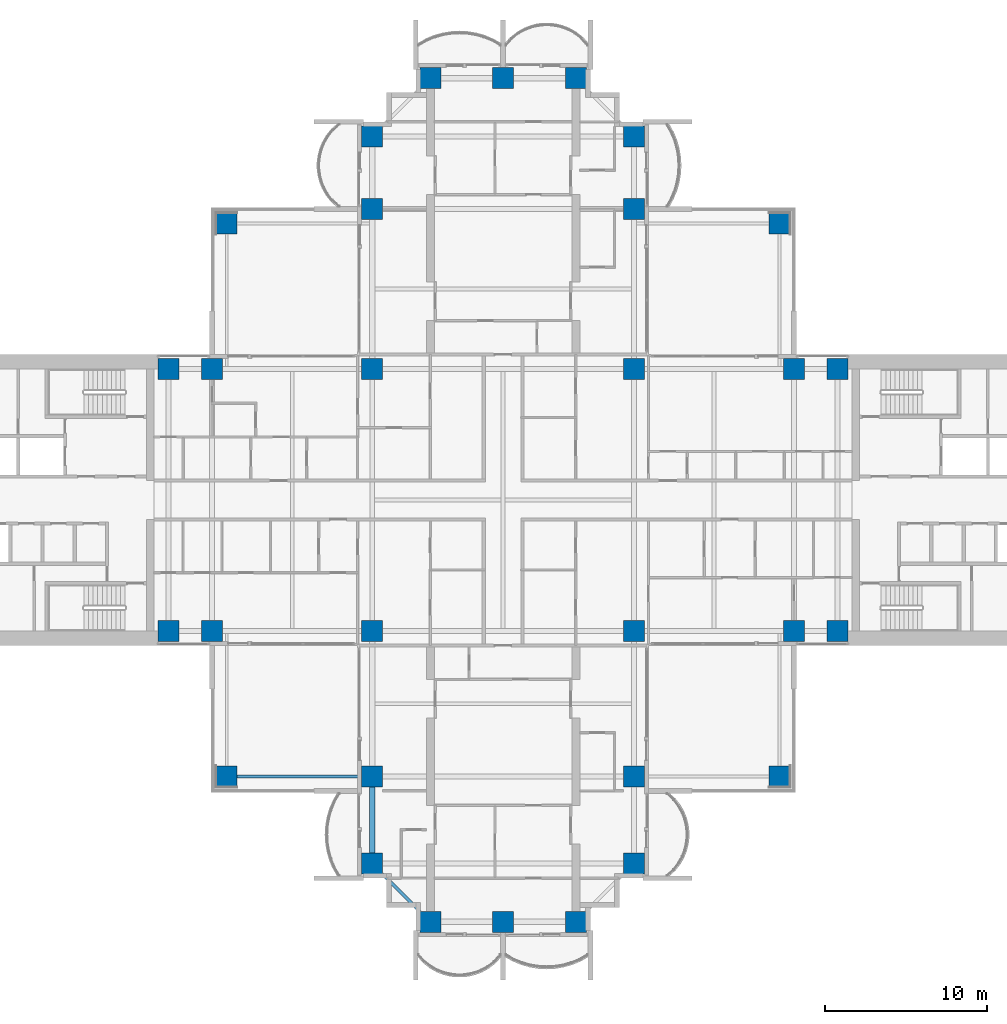
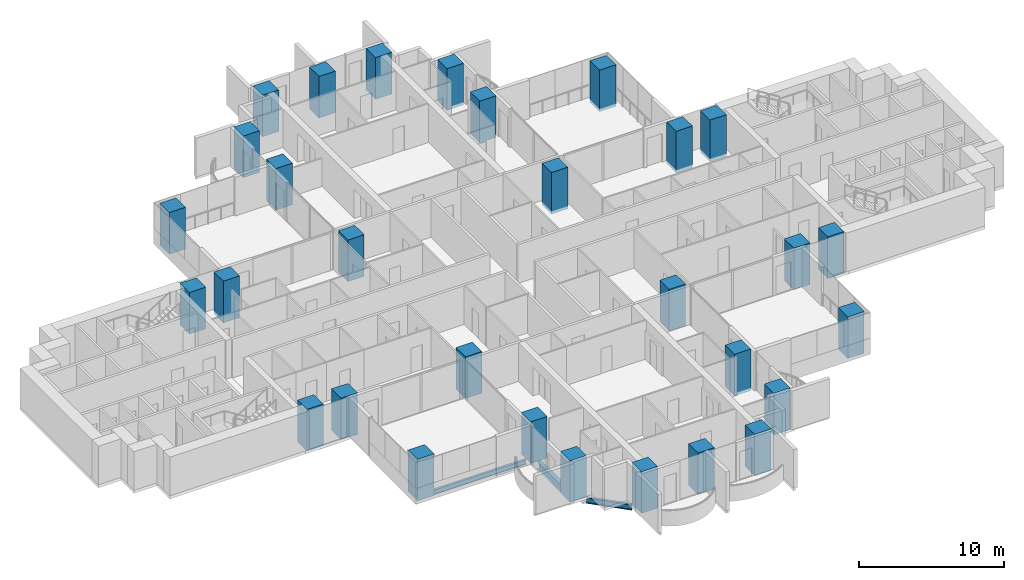
# One storey, part 1 of 21: 30 columns, 3 beams.
"""IFC4 building model written with IfcOpenShell, lengths in metres."""

from ifc_helpers import new_model, si_unit, direction, frame, origin, origin_2d, place, context, subcontext, project, spatial, rectangle, i_section, extrude, material, material_profile, profile_set, type_object, element, save


model = new_model("IFC4")

# Units and contexts
model_context = context("Model", 3, precision=1e-05, world=origin(), true_north=direction((0.0, 1.0)))
body_context = subcontext(model_context, "Body", "Model", "MODEL_VIEW")
ifc_project = project(units=[si_unit("LENGTHUNIT", "METRE"), si_unit("AREAUNIT", "SQUARE_METRE"), si_unit("VOLUMEUNIT", "CUBIC_METRE"), si_unit("PLANEANGLEUNIT", "RADIAN"), si_unit("MASSUNIT", "GRAM", prefix="KILO")], contexts=[model_context])

# Site, building, storey
site_placement = place(None, origin())
site = spatial("IfcSite", under=ifc_project, at=site_placement, CompositionType="ELEMENT")
building_placement = place(site_placement, origin())
building = spatial("IfcBuilding", under=site, at=building_placement, Name="Perihelion Cross Residences", CompositionType="ELEMENT")
storey_placement = place(building_placement, frame((0.0, 0.0, 43.5)))
storey = spatial("IfcBuildingStorey", under=building, at=storey_placement, Name="L07", CompositionType="ELEMENT", Elevation=43.5)

# Columns
ifc_material_1 = material(Name="Concrete C70/85", Category="concrete")
ifc_material_profile_1 = material_profile(ifc_material_1, rectangle(XDim=1.300048828125, YDim=1.300048828125, at=origin_2d()), Name="RC 1300x1300")
ifc_profile_set_1 = profile_set([ifc_material_profile_1], Name="Concrete C70/85")
column_type = type_object("IfcColumnType", Name="Reinforced concrete column 1300x1300 C70/85", PredefinedType="COLUMN", material=ifc_profile_set_1)
for number, where, z_axis, x_axis, name in (
    (1, (-20.699951171875, -8.10009765625, -0.25), (0.0, 0.0, 1.0), (1.0, 0.0, 0.0), "Column C017 L07 no. 1"),
    (2, (-20.699951171875, 8.10009765625, -0.25), (0.0, 0.0, 1.0), (1.0, 0.0, 0.0), "Column C010 L07 no. 1"),
    (3, (-18.0, -8.10009765625, -0.25), (0.0, 0.0, 1.0), (1.0, 0.0, 0.0), "Column C018 L07 no. 1"),
    (4, (-18.0, 8.10009765625, -0.25), (0.0, 0.0, 1.0), (1.0, 0.0, 0.0), "Column C011 L07 no. 1"),
    (5, (-8.10009765625, -22.5, -0.25), (0.0, 0.0, 1.0), (1.0, 0.0, 0.0), "Column C040 L07 no. 1"),
    (6, (-8.10009765625, -17.10009765625, -0.25), (0.0, 0.0, 1.0), (1.0, 0.0, 0.0), "Column C031 L07 no. 1"),
    (7, (-8.10009765625, -8.10009765625, -0.25), (0.0, 0.0, 1.0), (1.0, 0.0, 0.0), "Column C019 L07 no. 1"),
    (8, (-8.10009765625, 8.10009765625, -0.25), (0.0, 0.0, 1.0), (1.0, 0.0, 0.0), "Column C012 L07 no. 1"),
    (9, (-8.10009765625, 18.0, -0.25), (0.0, 0.0, 1.0), (1.0, 0.0, 0.0), "Column C006 L07 no. 1"),
    (10, (-8.10009765625, 22.5, -0.25), (0.0, 0.0, 1.0), (1.0, 0.0, 0.0), "Column C004 L07 no. 1"),
    (11, (-4.5, -26.10009765625, -0.25), (0.0, 0.0, 1.0), (1.0, 0.0, 0.0), "Column C042 L07 no. 1"),
    (12, (-4.5, 26.10009765625, -0.25), (0.0, 0.0, 1.0), (1.0, 0.0, 0.0), "Column C001 L07 no. 1"),
    (13, (0.0, -26.10009765625, -0.25), (0.0, 0.0, 1.0), (1.0, 0.0, 0.0), "Column C043 L07 no. 1"),
    (14, (0.0, 26.10009765625, -0.25), (0.0, 0.0, 1.0), (1.0, 0.0, 0.0), "Column C002 L07 no. 1"),
    (15, (4.5, -26.10009765625, -0.25), (0.0, 0.0, 1.0), (1.0, 0.0, 0.0), "Column C044 L07 no. 1"),
    (16, (4.5, 26.10009765625, -0.25), (0.0, 0.0, 1.0), (1.0, 0.0, 0.0), "Column C003 L07 no. 1"),
    (17, (8.10009765625, -22.5, -0.25), (0.0, 0.0, 1.0), (1.0, 0.0, 0.0), "Column C041 L07 no. 1"),
    (18, (8.10009765625, -17.10009765625, -0.25), (0.0, 0.0, 1.0), (1.0, 0.0, 0.0), "Column C035 L07 no. 1"),
    (19, (8.10009765625, -8.10009765625, -0.25), (0.0, 0.0, 1.0), (1.0, 0.0, 0.0), "Column C020 L07 no. 1"),
    (20, (8.10009765625, 8.10009765625, -0.25), (0.0, 0.0, 1.0), (1.0, 0.0, 0.0), "Column C014 L07 no. 1"),
    (21, (8.10009765625, 18.0, -0.25), (0.0, 0.0, 1.0), (1.0, 0.0, 0.0), "Column C007 L07 no. 1"),
    (22, (8.10009765625, 22.5, -0.25), (0.0, 0.0, 1.0), (1.0, 0.0, 0.0), "Column C005 L07 no. 1"),
    (23, (18.0, -8.10009765625, -0.25), (0.0, 0.0, 1.0), (1.0, 0.0, 0.0), "Column C021 L07 no. 1"),
    (24, (18.0, 8.10009765625, -0.25), (0.0, 0.0, 1.0), (1.0, 0.0, 0.0), "Column C015 L07 no. 1"),
    (25, (20.699951171875, -8.10009765625, -0.25), (0.0, 0.0, 1.0), (1.0, 0.0, 0.0), "Column C022 L07 no. 1"),
    (26, (20.699951171875, 8.10009765625, -0.25), (0.0, 0.0, 1.0), (1.0, 0.0, 0.0), "Column C016 L07 no. 1"),
    (27, (17.10009765625, 17.10009765625, -0.25), (0.0, 0.0, 1.0), (1.0, 0.0, 0.0), "Column C009 L07 no. 1"),
    (28, (-17.10009765625, 17.10009765625, -0.25), (0.0, 0.0, 1.0), (1.0, 0.0, 0.0), "Column C008 L07 no. 1"),
    (29, (-17.10009765625, -17.10009765625, -0.25), (0.0, 0.0, 1.0), (1.0, 0.0, 0.0), "Column C030 L07 no. 1"),
    (30, (17.10009765625, -17.10009765625, -0.25), (0.0, 0.0, 1.0), (1.0, 0.0, 0.0), "Column C036 L07 no. 1"),
):
    element("IfcColumn", number, at=place(storey_placement, frame(where, z_axis=z_axis, x_axis=x_axis)), inside=storey, type_object=column_type, Name=name, PredefinedType="COLUMN", context=body_context, shape_type="SweptSolid", body=[
        extrude(rectangle(XDim=1.300048828125, YDim=1.300048828125, at=origin_2d()), origin(), (0.0, 0.0, 1.0), 3.5),
    ])

# Beams
ifc_material_2 = material(Name="Steel S355", Category="steel")
ifc_material_profile_2 = material_profile(ifc_material_2, i_section(OverallWidth=0.177978515625, OverallDepth=0.406005859375, WebThickness=0.0078125, FlangeThickness=0.0126953125, at=origin_2d()), Name="W410x60")
ifc_profile_set_2 = profile_set([ifc_material_profile_2], Name="Steel S355")
beam_type_1 = type_object("IfcBeamType", Name="Core edge beam W410x60", PredefinedType="BEAM", material=ifc_profile_set_2)
beam_1_placement = place(storey_placement, frame((-8.75, -17.10009765625, -0.452880859375), z_axis=(-1.0, 0.0, 0.0), x_axis=(0.0, -1.0, 0.0)))
element("IfcBeam", 31, at=beam_1_placement, inside=storey, type_object=beam_type_1, Name="Core edge beam TB2 L07 corner no. 2", PredefinedType="BEAM", context=body_context, shape_type="SweptSolid", body=[
    extrude(i_section(OverallWidth=0.177978515625, OverallDepth=0.406005859375, WebThickness=0.0078125, FlangeThickness=0.0126953125, at=origin_2d()), origin(), (0.0, 0.0, 1.0), 7.699951171875),
])
ifc_material_3 = material(Name="Steel S355", Category="steel")
ifc_material_profile_3 = material_profile(ifc_material_3, i_section(OverallWidth=0.324951171875, OverallDepth=0.616943359375, WebThickness=0.013916015625, FlangeThickness=0.021484375, at=origin_2d()), Name="W610x174")
ifc_profile_set_3 = profile_set([ifc_material_profile_3], Name="Steel S355")
beam_type_2 = type_object("IfcBeamType", Name="Edge beam W610x174", PredefinedType="SPANDREL", material=ifc_profile_set_3)
beam_2_placement = place(storey_placement, frame((-8.10009765625, -17.75, -0.55859375), z_axis=(0.0, -1.0, 0.0), x_axis=(1.0, 0.0, 0.0)))
element("IfcBeam", 32, at=beam_2_placement, inside=storey, type_object=beam_type_2, Name="Edge beam SB2 L07 no. 5", PredefinedType="SPANDREL", context=body_context, shape_type="SweptSolid", body=[
    extrude(i_section(OverallWidth=0.324951171875, OverallDepth=0.616943359375, WebThickness=0.013916015625, FlangeThickness=0.021484375, at=origin_2d()), origin(), (0.0, 0.0, 1.0), 4.10009765625),
])
ifc_material_4 = material(Name="Steel S355", Category="steel")
ifc_material_profile_4 = material_profile(ifc_material_4, i_section(OverallWidth=0.194091796875, OverallDepth=0.469970703125, WebThickness=0.0126953125, FlangeThickness=0.0205078125, at=origin_2d()), Name="W460x106")
ifc_profile_set_4 = profile_set([ifc_material_profile_4], Name="Steel S355")
beam_type_3 = type_object("IfcBeamType", Name="Serration edge beam W460x106", PredefinedType="BEAM", material=ifc_profile_set_4)
beam_3_placement = place(storey_placement, frame((-7.449951171875, -23.14990234375, -0.485107421875), z_axis=(0.707106781187, -0.707106781187, 0.0), x_axis=(0.707106781187, 0.707106781187, 0.0)))
element("IfcBeam", 33, at=beam_3_placement, inside=storey, type_object=beam_type_3, Name="Serration edge beam EB2 L07 no. 2", PredefinedType="BEAM", context=body_context, shape_type="SweptSolid", body=[
    extrude(i_section(OverallWidth=0.194091796875, OverallDepth=0.469970703125, WebThickness=0.0126953125, FlangeThickness=0.0205078125, at=origin_2d()), origin(), (0.0, 0.0, 1.0), 3.252685546875),
])

save(model, "model.ifc")
